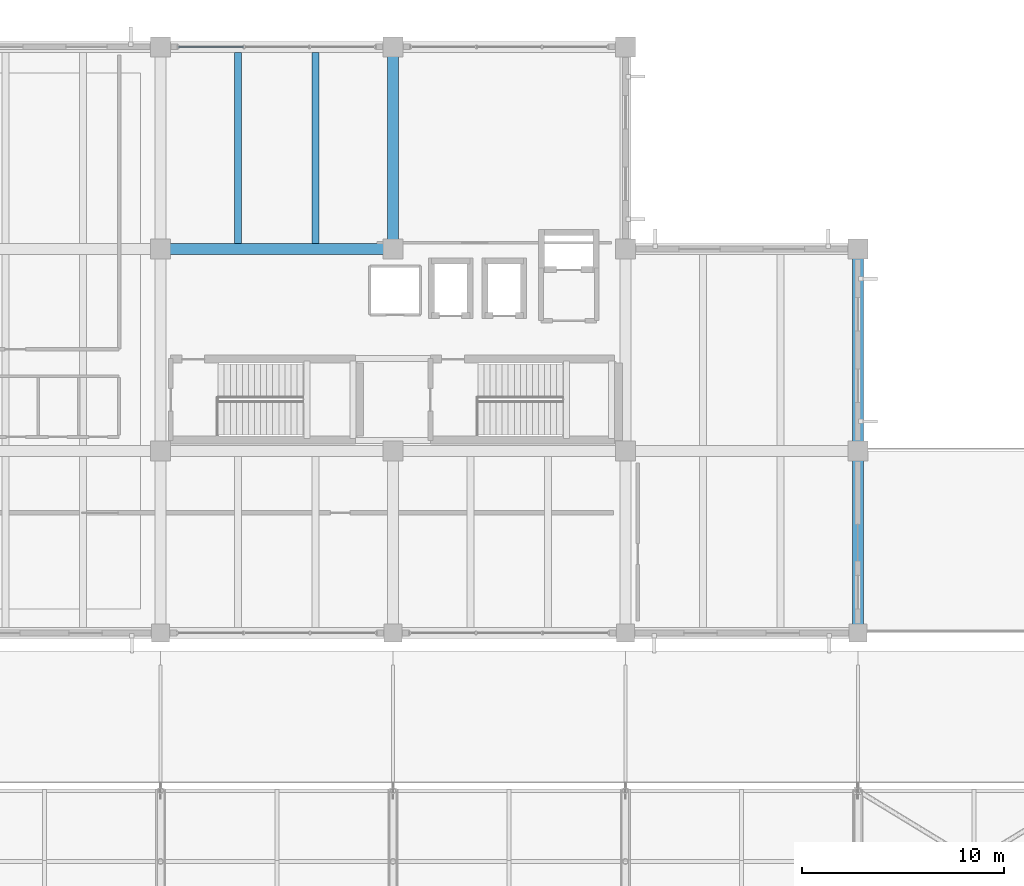
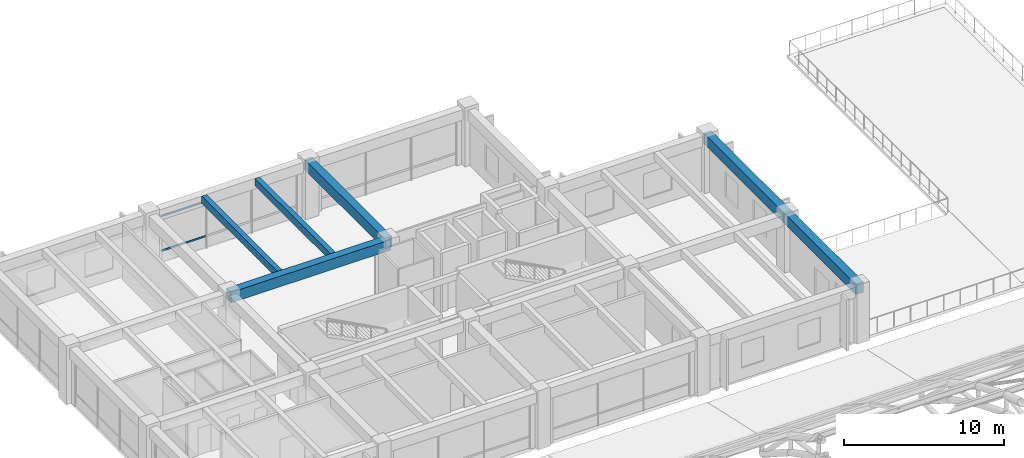
# One storey, part 118 of 154: 6 beams, 2 members, 1 element without a shape of its own.
"""IFC4 building model written with IfcOpenShell, lengths in metres."""

from ifc_helpers import new_model, si_unit, direction, frame, origin, origin_2d, place, context, subcontext, project, spatial, rectangle, hollow_rectangle, extrude, material, material_profile, profile_set, type_object, element, aggregate, save


model = new_model("IFC4")

# Units and contexts
model_context = context("Model", 3, precision=1e-05, world=origin(), true_north=direction((0.0, 1.0)))
body_context = subcontext(model_context, "Body", "Model", "MODEL_VIEW")
ifc_project = project(units=[si_unit("LENGTHUNIT", "METRE"), si_unit("AREAUNIT", "SQUARE_METRE"), si_unit("VOLUMEUNIT", "CUBIC_METRE"), si_unit("PLANEANGLEUNIT", "RADIAN"), si_unit("MASSUNIT", "GRAM", prefix="KILO")], contexts=[model_context])

# Site, building, storey
site_placement = place(None, origin())
site = spatial("IfcSite", under=ifc_project, at=site_placement, CompositionType="ELEMENT")
building_placement = place(site_placement, origin())
building = spatial("IfcBuilding", under=site, at=building_placement, Name="Ologun Quay Terminus", CompositionType="ELEMENT")
storey_placement = place(building_placement, frame((0.0, 0.0, 13.800048828125)))
storey = spatial("IfcBuildingStorey", under=building, at=storey_placement, Name="L03", CompositionType="ELEMENT", Elevation=13.800048828125)

# Beams
ifc_material_1 = material(Name="Concrete C40/50", Category="concrete")
ifc_material_profile_1 = material_profile(ifc_material_1, rectangle(XDim=0.550048828125, YDim=0.800048828125, at=origin_2d()), Name="RC 550x800")
ifc_profile_set_1 = profile_set([ifc_material_profile_1], Name="Concrete C40/50")
beam_type_1 = type_object("IfcBeamType", Name="Courtyard Wing Primary Girder 550x800", PredefinedType="BEAM", material=ifc_profile_set_1)
beam_1_placement = place(storey_placement, frame((126.5, 104.800048828125, 3.849853515625), z_axis=(1.0, 0.0, 0.0), x_axis=(0.0, 1.0, 0.0)))
element("IfcBeam", 1, at=beam_1_placement, inside=storey, type_object=beam_type_1, Name="B4 Beam 12/J L03", PredefinedType="BEAM", context=body_context, shape_type="SweptSolid", body=[
    extrude(rectangle(XDim=0.550048828125, YDim=0.800048828125, at=origin_2d()), origin(), (0.0, 0.0, 1.0), 11.5),
])
beam_2_placement = place(storey_placement, frame((138.0, 104.800048828125, 3.849853515625), z_axis=(0.0, 1.0, 0.0), x_axis=(-1.0, 0.0, 0.0)))
element("IfcBeam", 2, at=beam_2_placement, inside=storey, type_object=beam_type_1, Name="B4 Beam 13/J L03", PredefinedType="BEAM", context=body_context, shape_type="SweptSolid", body=[
    extrude(rectangle(XDim=0.550048828125, YDim=0.800048828125, at=origin_2d()), origin(), (0.0, 0.0, 1.0), 10.0),
])
beam_3_placement = place(storey_placement, frame((161.0, 85.800048828125, 3.849853515625), z_axis=(0.0, 1.0, 0.0), x_axis=(-1.0, 0.0, 0.0)))
element("IfcBeam", 3, at=beam_3_placement, inside=storey, type_object=beam_type_1, Name="B4 Beam 15/G2 L03", PredefinedType="BEAM", context=body_context, shape_type="SweptSolid", body=[
    extrude(rectangle(XDim=0.550048828125, YDim=0.800048828125, at=origin_2d()), origin(), (0.0, 0.0, 1.0), 9.0),
])
beam_4_placement = place(storey_placement, frame((161.0, 94.800048828125, 3.849853515625), z_axis=(0.0, 1.0, 0.0), x_axis=(-1.0, 0.0, 0.0)))
element("IfcBeam", 4, at=beam_4_placement, inside=storey, type_object=beam_type_1, Name="B4 Beam 15/H L03", PredefinedType="BEAM", context=body_context, shape_type="SweptSolid", body=[
    extrude(rectangle(XDim=0.550048828125, YDim=0.800048828125, at=origin_2d()), origin(), (0.0, 0.0, 1.0), 10.0),
])
ifc_material_2 = material(Name="Concrete C40/50", Category="concrete")
ifc_material_profile_2 = material_profile(ifc_material_2, rectangle(XDim=0.35009765625, YDim=0.550048828125, at=origin_2d()), Name="RC 350x550")
ifc_profile_set_2 = profile_set([ifc_material_profile_2], Name="Concrete C40/50")
beam_type_2 = type_object("IfcBeamType", Name="Courtyard Wing Secondary Joist 350x550", PredefinedType="JOIST", material=ifc_profile_set_2)
for number, where, z_axis, x_axis, name in (
    (5, (130.333251953125, 105.074951171875, 3.974853515625), (0.0, 1.0, 0.0), (-1.0, 0.0, 0.0), "J2 Beam 12/J L03"),
    (6, (134.166748046875, 105.074951171875, 3.974853515625), (0.0, 1.0, 0.0), (-1.0, 0.0, 0.0), "J2 Beam 12/J L03"),
):
    element("IfcBeam", number, at=place(storey_placement, frame(where, z_axis=z_axis, x_axis=x_axis)), inside=storey, type_object=beam_type_2, Name=name, PredefinedType="JOIST", context=body_context, shape_type="SweptSolid", body=[
        extrude(rectangle(XDim=0.35009765625, YDim=0.550048828125, at=origin_2d()), origin(), (0.0, 0.0, 1.0), 9.449951171875),
    ])

# Curtain wall, members
ifc_material_3 = material(Name="Aluminium 6063-T6", Category="aluminium")
curtain_wall_type = type_object("IfcCurtainWallType", Name="Waterfront Pavilion Harbour Curtain Wall L03 10600x4150", PredefinedType="USERDEFINED", material=ifc_material_3)
curtain_wall_placement = place(storey_placement, origin())
curtain_wall = element("IfcCurtainWall", 7, at=curtain_wall_placement, inside=storey, type_object=curtain_wall_type, Name="CW-25 Curtain Wall CW-L03-140", ObjectType="UNITISED CURTAIN WALL", PredefinedType="USERDEFINED")
ifc_material_4 = material(Name="Aluminium 6063-T6", Category="aluminium")
ifc_material_profile_3 = material_profile(ifc_material_4, hollow_rectangle(XDim=0.06005859375, YDim=0.1298828125, WallThickness=0.00390625, at=origin_2d()), Name="ALU 130x60x4")
ifc_profile_set_3 = profile_set([ifc_material_profile_3], Name="Aluminium 6063-T6")
member_type = type_object("IfcMemberType", Name="Curtain Wall Heavy Transom 130x60", PredefinedType="USERDEFINED", material=ifc_profile_set_3)
member_1_placement = place(storey_placement, frame((127.3701171875, 114.800048828125, 0.89990234375), z_axis=(1.0, 0.0, 0.0), x_axis=(0.0, 1.0, 0.0)))
member_1 = element("IfcMember", 8, at=member_1_placement, type_object=member_type, Name="CW-L03-140 Transom B1-1", ObjectType="TRANSOM", PredefinedType="USERDEFINED", context=body_context, shape_type="SweptSolid", body=[
    extrude(hollow_rectangle(XDim=0.06005859375, YDim=0.1298828125, WallThickness=0.00390625, at=origin_2d()), origin(), (0.0, 0.0, 1.0), 3.253173828125),
])
member_2_placement = place(storey_placement, frame((127.3701171875, 114.800048828125, 3.530029296875), z_axis=(1.0, 0.0, 0.0), x_axis=(0.0, 1.0, 0.0)))
member_2 = element("IfcMember", 9, at=member_2_placement, type_object=member_type, Name="CW-L03-140 Transom B1-2", ObjectType="TRANSOM", PredefinedType="USERDEFINED", context=body_context, shape_type="SweptSolid", body=[
    extrude(hollow_rectangle(XDim=0.06005859375, YDim=0.1298828125, WallThickness=0.00390625, at=origin_2d()), origin(), (0.0, 0.0, 1.0), 3.253173828125),
])
aggregate(curtain_wall, [member_1, member_2])

save(model, "model.ifc")
